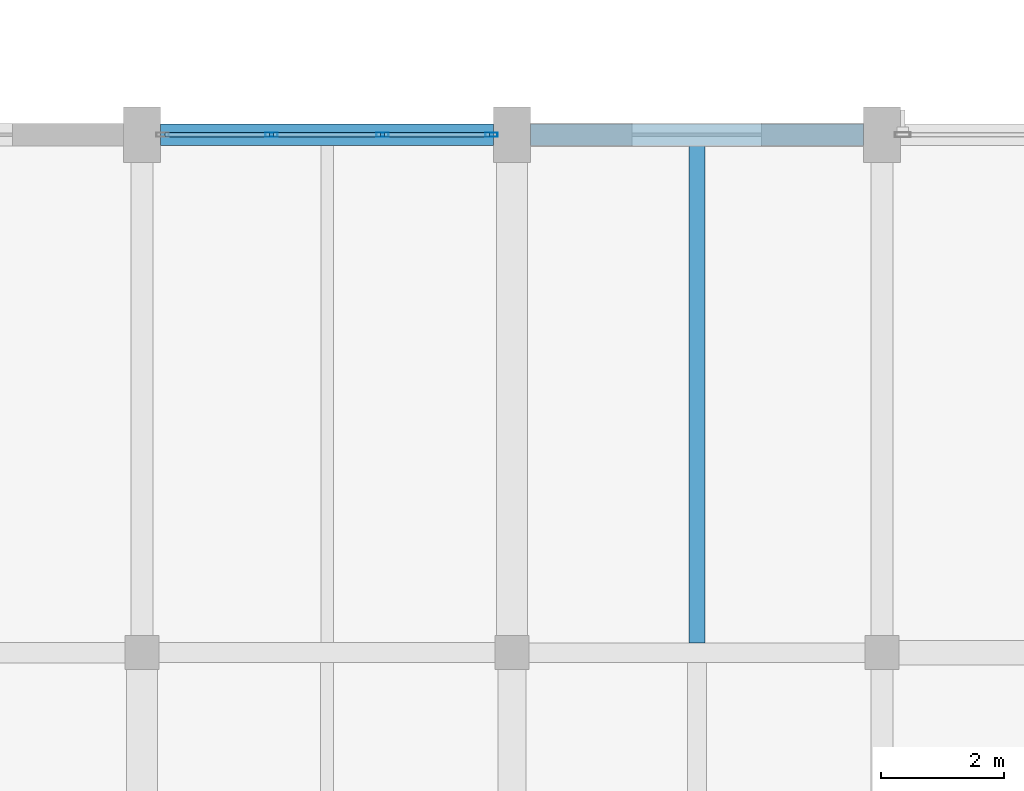
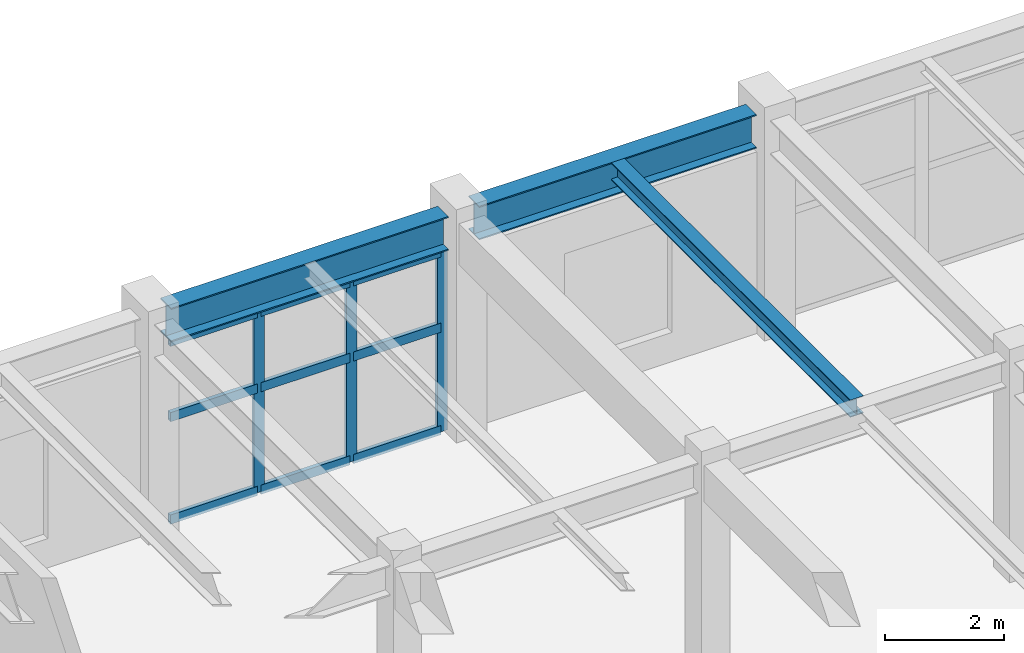
# One storey, part 39 of 96: 12 members, 3 beams, 1 element without a shape of its own.
"""IFC4 building model written with IfcOpenShell, lengths in metres."""

from ifc_helpers import new_model, si_unit, direction, frame, origin, origin_2d, place, context, subcontext, project, spatial, hollow_rectangle, i_section, extrude, material, layer, layer_set, material_profile, profile_set, type_object, element, aggregate, save


model = new_model("IFC4")

# Units and contexts
model_context = context("Model", 3, precision=1e-05, world=origin(), true_north=direction((0.0, 1.0)))
body_context = subcontext(model_context, "Body", "Model", "MODEL_VIEW")
ifc_project = project(units=[si_unit("LENGTHUNIT", "METRE"), si_unit("AREAUNIT", "SQUARE_METRE"), si_unit("VOLUMEUNIT", "CUBIC_METRE"), si_unit("PLANEANGLEUNIT", "RADIAN"), si_unit("MASSUNIT", "GRAM", prefix="KILO")], contexts=[model_context])

# Site, building, storey
site_placement = place(None, origin())
site = spatial("IfcSite", under=ifc_project, at=site_placement, CompositionType="ELEMENT")
building_placement = place(site_placement, origin())
building = spatial("IfcBuilding", under=site, at=building_placement, Name="Vaelkrest Opera House", CompositionType="ELEMENT")
storey_placement = place(building_placement, frame((0.0, 0.0, 5.39990234375)))
storey = spatial("IfcBuildingStorey", under=building, at=storey_placement, Name="L01", CompositionType="ELEMENT", Elevation=5.39990234375)

# Curtain wall, members
ifc_material_1 = material(Name="Dark bronze anodized aluminium", Category="aluminium")
ifc_layer = layer(ifc_material_1, 0.22998046875)
ifc_layer_set = layer_set([ifc_layer], Name="Dark bronze anodized aluminium")
curtain_wall_type = type_object("IfcCurtainWallType", Name="CW06", PredefinedType="NOTDEFINED", material=ifc_layer_set)
curtain_wall_placement = place(storey_placement, origin())
curtain_wall = element("IfcCurtainWall", 1, at=curtain_wall_placement, inside=storey, type_object=curtain_wall_type, Name="Curtain wall CW-L01-107", PredefinedType="NOTDEFINED")
ifc_material_profile_1 = material_profile(ifc_material_1, hollow_rectangle(XDim=0.070068359375, YDim=0.199951171875, WallThickness=0.004150390625, at=origin_2d()), Name="CWM70X200")
ifc_profile_set_1 = profile_set([ifc_material_profile_1], Name="Dark bronze anodized aluminium")
member_type_1 = type_object("IfcMemberType", Name="CWM02", PredefinedType="MULLION", material=ifc_profile_set_1)
member_1_placement = place(storey_placement, frame((-61.500732421875, 33.60009765625, 0.0), z_axis=(0.0, 0.0, 1.0), x_axis=(0.0, 1.0, 0.0)))
member_1 = element("IfcMember", 2, at=member_1_placement, type_object=member_type_1, Name="CW06 mullion 2", PredefinedType="MULLION", context=body_context, shape_type="SweptSolid", body=[
    extrude(hollow_rectangle(XDim=0.070068359375, YDim=0.199951171875, WallThickness=0.004150390625, at=origin_2d()), origin(), (0.0, 0.0, 1.0), 3.739990234375),
])
member_2_placement = place(storey_placement, frame((-59.69921875, 33.60009765625, 0.0), z_axis=(0.0, 0.0, 1.0), x_axis=(0.0, 1.0, 0.0)))
member_2 = element("IfcMember", 3, at=member_2_placement, type_object=member_type_1, Name="CW06 mullion 3", PredefinedType="MULLION", context=body_context, shape_type="SweptSolid", body=[
    extrude(hollow_rectangle(XDim=0.070068359375, YDim=0.199951171875, WallThickness=0.004150390625, at=origin_2d()), origin(), (0.0, 0.0, 1.0), 3.739990234375),
])
member_3_placement = place(storey_placement, frame((-57.93310546875, 33.60009765625, 0.0), z_axis=(0.0, 0.0, 1.0), x_axis=(0.0, 1.0, 0.0)))
member_3 = element("IfcMember", 4, at=member_3_placement, type_object=member_type_1, Name="CW06 mullion 4", PredefinedType="MULLION", context=body_context, shape_type="SweptSolid", body=[
    extrude(hollow_rectangle(XDim=0.070068359375, YDim=0.199951171875, WallThickness=0.004150390625, at=origin_2d()), origin(), (0.0, 0.0, 1.0), 3.739990234375),
])
ifc_material_profile_2 = material_profile(ifc_material_1, hollow_rectangle(XDim=0.080078125, YDim=0.18994140625, WallThickness=0.0048828125, at=origin_2d()), Name="CWT80X190")
ifc_profile_set_2 = profile_set([ifc_material_profile_2], Name="Dark bronze anodized aluminium")
member_type_2 = type_object("IfcMemberType", Name="CWT04", PredefinedType="USERDEFINED", material=ifc_profile_set_2)
member_4_placement = place(storey_placement, frame((-63.23193359375, 33.60009765625, 0.0400390625), z_axis=(1.0, 0.0, 0.0), x_axis=(0.0, 1.0, 0.0)))
member_4 = element("IfcMember", 5, at=member_4_placement, type_object=member_type_2, Name="CW06 transom 1.1", ObjectType="TRANSOM", PredefinedType="USERDEFINED", context=body_context, shape_type="SweptSolid", body=[
    extrude(hollow_rectangle(XDim=0.080078125, YDim=0.18994140625, WallThickness=0.0048828125, at=origin_2d()), origin(), (0.0, 0.0, 1.0), 1.6962890625),
])
member_5_placement = place(storey_placement, frame((-63.23193359375, 33.60009765625, 2.150146484375), z_axis=(1.0, 0.0, 0.0), x_axis=(0.0, 1.0, 0.0)))
member_5 = element("IfcMember", 6, at=member_5_placement, type_object=member_type_2, Name="CW06 transom 1.2", ObjectType="TRANSOM", PredefinedType="USERDEFINED", context=body_context, shape_type="SweptSolid", body=[
    extrude(hollow_rectangle(XDim=0.080078125, YDim=0.18994140625, WallThickness=0.0048828125, at=origin_2d()), origin(), (0.0, 0.0, 1.0), 1.6962890625),
])
member_6_placement = place(storey_placement, frame((-63.23193359375, 33.60009765625, 3.7001953125), z_axis=(1.0, 0.0, 0.0), x_axis=(0.0, 1.0, 0.0)))
member_6 = element("IfcMember", 7, at=member_6_placement, type_object=member_type_2, Name="CW06 transom 1.3", ObjectType="TRANSOM", PredefinedType="USERDEFINED", context=body_context, shape_type="SweptSolid", body=[
    extrude(hollow_rectangle(XDim=0.080078125, YDim=0.18994140625, WallThickness=0.0048828125, at=origin_2d()), origin(), (0.0, 0.0, 1.0), 1.6962890625),
])
member_7_placement = place(storey_placement, frame((-61.465576171875, 33.60009765625, 0.0400390625), z_axis=(1.0, 0.0, 0.0), x_axis=(0.0, 1.0, 0.0)))
member_7 = element("IfcMember", 8, at=member_7_placement, type_object=member_type_2, Name="CW06 transom 2.1", ObjectType="TRANSOM", PredefinedType="USERDEFINED", context=body_context, shape_type="SweptSolid", body=[
    extrude(hollow_rectangle(XDim=0.080078125, YDim=0.18994140625, WallThickness=0.0048828125, at=origin_2d()), origin(), (0.0, 0.0, 1.0), 1.731201171875),
])
member_8_placement = place(storey_placement, frame((-61.465576171875, 33.60009765625, 2.150146484375), z_axis=(1.0, 0.0, 0.0), x_axis=(0.0, 1.0, 0.0)))
member_8 = element("IfcMember", 9, at=member_8_placement, type_object=member_type_2, Name="CW06 transom 2.2", ObjectType="TRANSOM", PredefinedType="USERDEFINED", context=body_context, shape_type="SweptSolid", body=[
    extrude(hollow_rectangle(XDim=0.080078125, YDim=0.18994140625, WallThickness=0.0048828125, at=origin_2d()), origin(), (0.0, 0.0, 1.0), 1.731201171875),
])
member_9_placement = place(storey_placement, frame((-61.465576171875, 33.60009765625, 3.7001953125), z_axis=(1.0, 0.0, 0.0), x_axis=(0.0, 1.0, 0.0)))
member_9 = element("IfcMember", 10, at=member_9_placement, type_object=member_type_2, Name="CW06 transom 2.3", ObjectType="TRANSOM", PredefinedType="USERDEFINED", context=body_context, shape_type="SweptSolid", body=[
    extrude(hollow_rectangle(XDim=0.080078125, YDim=0.18994140625, WallThickness=0.0048828125, at=origin_2d()), origin(), (0.0, 0.0, 1.0), 1.731201171875),
])
member_10_placement = place(storey_placement, frame((-59.664306640625, 33.60009765625, 0.0400390625), z_axis=(1.0, 0.0, 0.0), x_axis=(0.0, 1.0, 0.0)))
member_10 = element("IfcMember", 11, at=member_10_placement, type_object=member_type_2, Name="CW06 transom 3.1", ObjectType="TRANSOM", PredefinedType="USERDEFINED", context=body_context, shape_type="SweptSolid", body=[
    extrude(hollow_rectangle(XDim=0.080078125, YDim=0.18994140625, WallThickness=0.0048828125, at=origin_2d()), origin(), (0.0, 0.0, 1.0), 1.6962890625),
])
member_11_placement = place(storey_placement, frame((-59.664306640625, 33.60009765625, 2.150146484375), z_axis=(1.0, 0.0, 0.0), x_axis=(0.0, 1.0, 0.0)))
member_11 = element("IfcMember", 12, at=member_11_placement, type_object=member_type_2, Name="CW06 transom 3.2", ObjectType="TRANSOM", PredefinedType="USERDEFINED", context=body_context, shape_type="SweptSolid", body=[
    extrude(hollow_rectangle(XDim=0.080078125, YDim=0.18994140625, WallThickness=0.0048828125, at=origin_2d()), origin(), (0.0, 0.0, 1.0), 1.6962890625),
])
member_12_placement = place(storey_placement, frame((-59.664306640625, 33.60009765625, 3.7001953125), z_axis=(1.0, 0.0, 0.0), x_axis=(0.0, 1.0, 0.0)))
member_12 = element("IfcMember", 13, at=member_12_placement, type_object=member_type_2, Name="CW06 transom 3.3", ObjectType="TRANSOM", PredefinedType="USERDEFINED", context=body_context, shape_type="SweptSolid", body=[
    extrude(hollow_rectangle(XDim=0.080078125, YDim=0.18994140625, WallThickness=0.0048828125, at=origin_2d()), origin(), (0.0, 0.0, 1.0), 1.6962890625),
])
aggregate(curtain_wall, [member_1, member_2, member_3, member_4, member_5, member_6, member_7, member_8, member_9, member_10, member_11, member_12])

# Beams
ifc_material_2 = material(Name="Steel A992 Gr50", Category="steel")
ifc_material_profile_3 = material_profile(ifc_material_2, i_section(OverallWidth=0.2548828125, OverallDepth=0.35693359375, WebThickness=0.010498046875, FlangeThickness=0.018310546875, at=origin_2d()), Name="W14X68")
ifc_profile_set_3 = profile_set([ifc_material_profile_3], Name="Steel A992 Gr50")
beam_type_1 = type_object("IfcBeamType", Name="J05", PredefinedType="JOIST", material=ifc_profile_set_3)
beam_placement = place(storey_placement, frame((-54.60009765625, 25.357421875, 4.321533203125), z_axis=(0.0, 1.0, 0.0), x_axis=(-1.0, 0.0, 0.0)))
element("IfcBeam", 14, at=beam_placement, inside=storey, type_object=beam_type_1, Name="Floor joist JST-V3-L01-1605", PredefinedType="JOIST", context=body_context, shape_type="SweptSolid", body=[
    extrude(i_section(OverallWidth=0.2548828125, OverallDepth=0.35693359375, WebThickness=0.010498046875, FlangeThickness=0.018310546875, at=origin_2d()), origin(), (0.0, 0.0, 1.0), 8.065185546875),
])
ifc_material_profile_4 = material_profile(ifc_material_2, i_section(OverallWidth=0.35498046875, OverallDepth=0.695068359375, WebThickness=0.015380859375, FlangeThickness=0.02490234375, at=origin_2d()), Name="W27X146")
ifc_profile_set_4 = profile_set([ifc_material_profile_4], Name="Steel A992 Gr50")
beam_type_2 = type_object("IfcBeamType", Name="SP02", PredefinedType="SPANDREL", material=ifc_profile_set_4)
for number, where, z_axis, x_axis, name in (
    (15, (-63.300048828125, 33.60009765625, 4.152587890625), (1.0, 0.0, 0.0), (0.0, 1.0, 0.0), "Beam BM-V3-L01-1546"),
    (16, (-57.300048828125, 33.60009765625, 4.152587890625), (1.0, 0.0, 0.0), (0.0, 1.0, 0.0), "Beam BM-V3-L01-1547"),
):
    element("IfcBeam", number, at=place(storey_placement, frame(where, z_axis=z_axis, x_axis=x_axis)), inside=storey, type_object=beam_type_2, Name=name, PredefinedType="SPANDREL", context=body_context, shape_type="SweptSolid", body=[
        extrude(i_section(OverallWidth=0.35498046875, OverallDepth=0.695068359375, WebThickness=0.015380859375, FlangeThickness=0.02490234375, at=origin_2d()), origin(), (0.0, 0.0, 1.0), 5.400146484375),
    ])

save(model, "model.ifc")
